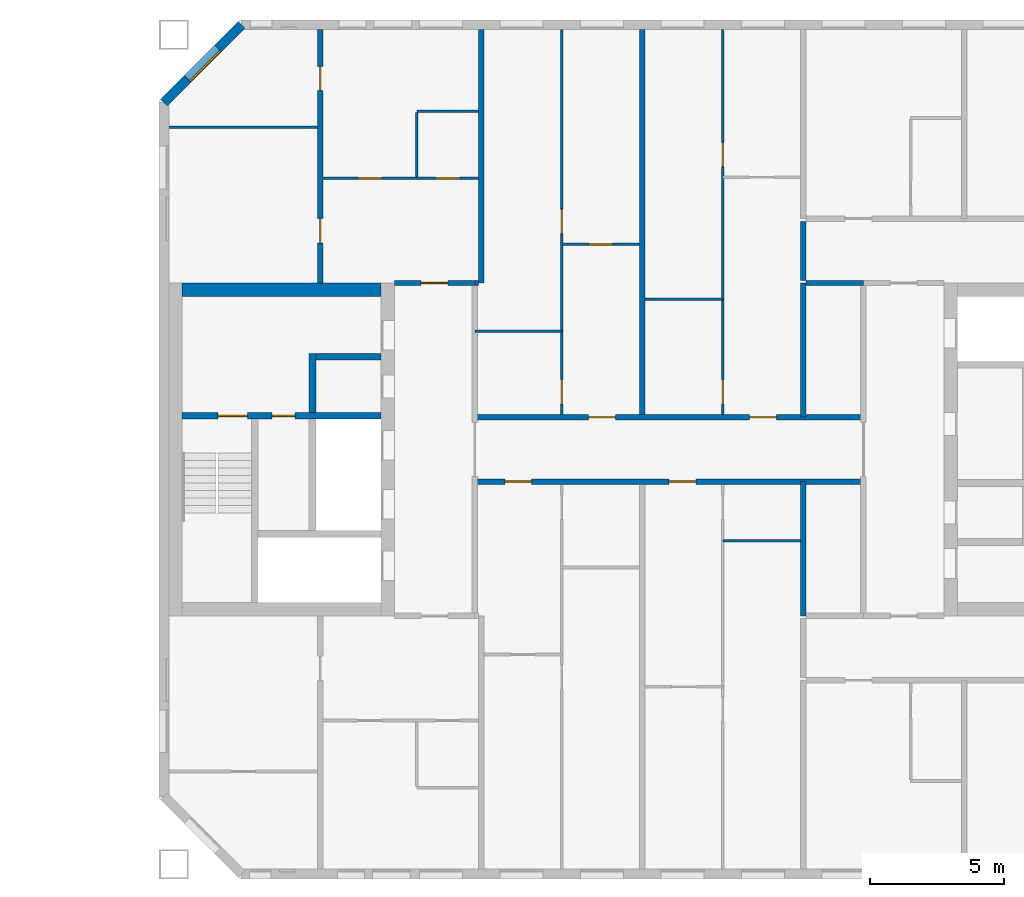
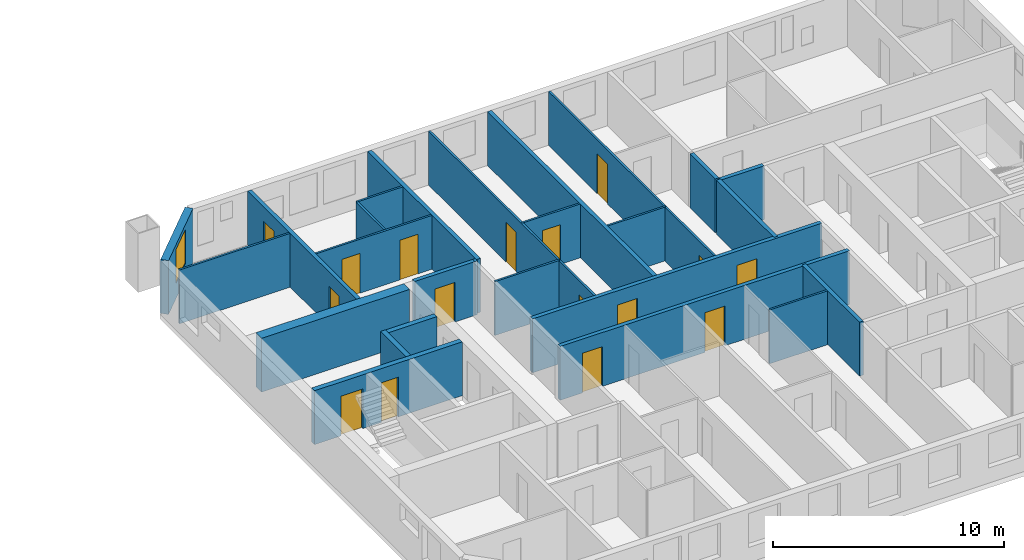
# One storey, part 11 of 16: 26 walls, 16 doors, 1 window, 17 openings.
"""IFC4 building model written with IfcOpenShell, lengths in metres."""

from ifc_helpers import new_model, si_unit, direction, frame, frame_2d, origin, place, context, subcontext, project, spatial, rectangle, extrude, material, layer, layer_set, type_object, element, fill, save


model = new_model("IFC4")

# Units and contexts
model_context = context("Model", 3, precision=1e-05, world=origin(), true_north=direction((0.0, 1.0)))
body_context = subcontext(model_context, "Body", "Model", "MODEL_VIEW")
ifc_project = project(units=[si_unit("LENGTHUNIT", "METRE"), si_unit("AREAUNIT", "SQUARE_METRE"), si_unit("VOLUMEUNIT", "CUBIC_METRE"), si_unit("PLANEANGLEUNIT", "RADIAN"), si_unit("MASSUNIT", "GRAM", prefix="KILO")], contexts=[model_context])

# Site, building, storey
site_placement = place(None, origin())
site = spatial("IfcSite", under=ifc_project, at=site_placement, CompositionType="ELEMENT")
building_placement = place(site_placement, origin())
building = spatial("IfcBuilding", under=site, at=building_placement, Name="Tuart Gate Housing", CompositionType="ELEMENT")
storey_placement = place(building_placement, frame((0.0, 0.0, 151.60009765625)))
storey = spatial("IfcBuildingStorey", under=building, at=storey_placement, Name="L42", CompositionType="ELEMENT", Elevation=151.60009765625)

# Wall, opening, window
ifc_material_1 = material(Name="Brick", Category="masonry")
ifc_layer_1 = layer(ifc_material_1, 0.360107421875)
ifc_layer_set_1 = layer_set([ifc_layer_1], Name="Brick pier and spandrel wall 360")
wall_type_1 = type_object("IfcWallType", Name="Brick pier and spandrel wall 360", PredefinedType="STANDARD", material=ifc_layer_set_1)
wall_1_placement = place(storey_placement, frame((134.07470703125, 85.820068359375, 0.0), z_axis=(0.0, 0.0, 1.0), x_axis=(-0.707106781187, -0.707106781187, 0.0)))
wall_1 = element("IfcWall", 1, at=wall_1_placement, inside=storey, type_object=wall_type_1, Name="External wall B-NW L42", PredefinedType="STANDARD", context=body_context, shape_type="SweptSolid", body=[
    extrude(rectangle(XDim=4.09375, YDim=0.360107421875, at=frame_2d((2.046875, 0.0))), origin(), (0.0, 0.0, 1.0), 2.849853515625),
])
opening_1_placement = place(wall_1_placement, frame((1.2470703125, 0.0, 0.800048828125)))
opening_1 = element("IfcOpeningElement", 2, at=opening_1_placement, cuts=wall_1, Name="Opening W1", PredefinedType="OPENING", context=body_context, shape_type="SweptSolid", body=[
    extrude(rectangle(XDim=1.60009765625, YDim=1.800048828125, at=frame_2d((0.800048828125, 0.89990234375))), frame((0.0, 0.18994140625, 0.0), z_axis=(0.0, -1.0, 0.0), x_axis=(1.0, 0.0, 0.0)), (0.0, 0.0, 1.0), 0.380126953125),
])
ifc_material_2 = material(Name="Aluminium frame with clear glass", Category="aluminium")
window_type = type_object("IfcWindowType", Name="Punched window 1600 x 1800", PartitioningType="SINGLE_PANEL", PredefinedType="WINDOW", material=ifc_material_2)
window_placement = place(opening_1_placement, origin())
window = element("IfcWindow", 3, at=window_placement, inside=storey, type_object=window_type, Name="Window W1", OverallHeight=1.800048828125, OverallWidth=1.60009765625, PartitioningType="SINGLE_PANEL", PredefinedType="WINDOW", context=body_context, shape_type="SweptSolid", body=[
    extrude(rectangle(XDim=1.60009765625, YDim=1.800048828125, at=frame_2d((0.800048828125, 0.89990234375))), frame((0.0, 0.150146484375, 0.0), z_axis=(0.0, -1.0, 0.0), x_axis=(1.0, 0.0, 0.0)), (0.0, 0.0, 1.0), 0.06005859375),
])
fill(opening_1, window)

# Wall, openings, doors
ifc_material_3 = material(Name="Concrete C40", Category="concrete")
ifc_layer_2 = layer(ifc_material_3, 0.25)
ifc_layer_set_2 = layer_set([ifc_layer_2], Name="Core wall 250 C40")
wall_type_2 = type_object("IfcWallType", Name="Core wall 250 C40", PredefinedType="SHEAR", material=ifc_layer_set_2)
wall_2_placement = place(storey_placement, frame((139.260009765625, 71.25, 0.0), z_axis=(0.0, 0.0, 1.0), x_axis=(-1.0, 0.0, 0.0)))
wall_2 = element("IfcWall", 4, at=wall_2_placement, inside=storey, type_object=wall_type_2, Name="Core wall BG.2", PredefinedType="SHEAR", context=body_context, shape_type="SweptSolid", body=[
    extrude(rectangle(XDim=7.39990234375, YDim=0.25, at=frame_2d((3.699951171875, 0.0))), origin(), (0.0, 0.0, 1.0), 2.849853515625),
])
opening_2_placement = place(wall_2_placement, frame((4.97509765625, 0.0, 0.0)))
opening_2 = element("IfcOpeningElement", 5, at=opening_2_placement, cuts=wall_2, Name="Opening D1591", PredefinedType="OPENING", context=body_context, shape_type="SweptSolid", body=[
    extrude(rectangle(XDim=1.10009765625, YDim=2.10009765625, at=frame_2d((0.550048828125, 1.050048828125))), frame((0.0, 0.135009765625, 0.0), z_axis=(0.0, -1.0, 0.0), x_axis=(1.0, 0.0, 0.0)), (0.0, 0.0, 1.0), 0.27001953125),
])
opening_3_placement = place(wall_2_placement, frame((3.199951171875, 0.0, 0.0)))
opening_3 = element("IfcOpeningElement", 6, at=opening_3_placement, cuts=wall_2, Name="Opening D1590", PredefinedType="OPENING", context=body_context, shape_type="SweptSolid", body=[
    extrude(rectangle(XDim=0.85009765625, YDim=2.10009765625, at=frame_2d((0.425048828125, 1.050048828125))), frame((0.0, 0.135009765625, 0.0), z_axis=(0.0, -1.0, 0.0), x_axis=(1.0, 0.0, 0.0)), (0.0, 0.0, 1.0), 0.27001953125),
])
ifc_material_4 = material(Name="Steel fire door", Category="steel")
door_type_1 = type_object("IfcDoorType", Name="Riser door 850 x 2100", OperationType="SINGLE_SWING_LEFT", PredefinedType="DOOR", material=ifc_material_4)
door_1_placement = place(opening_3_placement, origin())
door_1 = element("IfcDoor", 7, at=door_1_placement, inside=storey, type_object=door_type_1, Name="Service room door BG.W1", OperationType="SINGLE_SWING_LEFT", OverallHeight=2.10009765625, OverallWidth=0.85009765625, PredefinedType="DOOR", context=body_context, shape_type="SweptSolid", body=[
    extrude(rectangle(XDim=0.85009765625, YDim=2.10009765625, at=frame_2d((0.425048828125, 1.050048828125))), frame((0.0, 0.02490234375, 0.0), z_axis=(0.0, -1.0, 0.0), x_axis=(1.0, 0.0, 0.0)), (0.0, 0.0, 1.0), 0.050048828125),
])
fill(opening_3, door_1)
ifc_material_5 = material(Name="Steel fire door", Category="steel")
door_type_2 = type_object("IfcDoorType", Name="Stair door 1100 x 2100", OperationType="SINGLE_SWING_LEFT", PredefinedType="DOOR", material=ifc_material_5)
door_2_placement = place(opening_2_placement, origin())
door_2 = element("IfcDoor", 8, at=door_2_placement, inside=storey, type_object=door_type_2, Name="Stair door BG.SD", OperationType="SINGLE_SWING_LEFT", OverallHeight=2.10009765625, OverallWidth=1.10009765625, PredefinedType="DOOR", context=body_context, shape_type="SweptSolid", body=[
    extrude(rectangle(XDim=1.10009765625, YDim=2.10009765625, at=frame_2d((0.550048828125, 1.050048828125))), frame((0.0, 0.02490234375, 0.0), z_axis=(0.0, -1.0, 0.0), x_axis=(1.0, 0.0, 0.0)), (0.0, 0.0, 1.0), 0.050048828125),
])
fill(opening_2, door_2)

# Walls
wall_3_placement = place(storey_placement, frame((139.260009765625, 73.449951171875, 0.0), z_axis=(0.0, 0.0, 1.0), x_axis=(-1.0, 0.0, 0.0)))
element("IfcWall", 9, at=wall_3_placement, inside=storey, type_object=wall_type_2, Name="Core wall BG.3", PredefinedType="SHEAR", context=body_context, shape_type="SweptSolid", body=[
    extrude(rectangle(XDim=2.425048828125, YDim=0.25, at=frame_2d((1.21240234375, 0.0))), origin(), (0.0, 0.0, 1.0), 2.849853515625),
])
wall_4_placement = place(storey_placement, frame((136.7099609375, 71.375, 0.0), z_axis=(0.0, 0.0, 1.0), x_axis=(0.0, 1.0, 0.0)))
element("IfcWall", 10, at=wall_4_placement, inside=storey, type_object=wall_type_2, Name="Core wall BG.5", PredefinedType="SHEAR", context=body_context, shape_type="SweptSolid", body=[
    extrude(rectangle(XDim=2.199951171875, YDim=0.25, at=frame_2d((1.10009765625, 0.0))), origin(), (0.0, 0.0, 1.0), 2.849853515625),
])
ifc_material_6 = material(Name="Concrete C40", Category="concrete")
ifc_layer_3 = layer(ifc_material_6, 0.5)
ifc_layer_set_3 = layer_set([ifc_layer_3], Name="Core wall 500 C40")
wall_type_3 = type_object("IfcWallType", Name="Core wall 500 C40", PredefinedType="SHEAR", material=ifc_layer_set_3)
wall_5_placement = place(storey_placement, frame((139.260009765625, 75.949951171875, 0.0), z_axis=(0.0, 0.0, 1.0), x_axis=(-1.0, 0.0, 0.0)))
element("IfcWall", 11, at=wall_5_placement, inside=storey, type_object=wall_type_3, Name="Core wall BG north", PredefinedType="SHEAR", context=body_context, shape_type="SweptSolid", body=[
    extrude(rectangle(XDim=7.39990234375, YDim=0.5, at=frame_2d((3.699951171875, 0.0))), origin(), (0.0, 0.0, 1.0), 2.849853515625),
])

# Wall, openings, doors
ifc_material_7 = material(Name="Concrete masonry 15 MPa", Category="masonry")
ifc_layer_4 = layer(ifc_material_7, 0.199951171875)
ifc_layer_set_4 = layer_set([ifc_layer_4], Name="Corridor wall masonry 200")
wall_type_4 = type_object("IfcWallType", Name="Corridor wall masonry 200", PredefinedType="PARTITIONING", material=ifc_layer_set_4)
wall_6_placement = place(storey_placement, frame((142.760009765625, 68.800048828125, 0.0), z_axis=(0.0, 0.0, 1.0), x_axis=(1.0, 0.0, 0.0)))
wall_6 = element("IfcWall", 12, at=wall_6_placement, inside=storey, type_object=wall_type_4, Name="Corridor wall masonry 200", PredefinedType="PARTITIONING", context=body_context, shape_type="SweptSolid", body=[
    extrude(rectangle(XDim=14.47998046875, YDim=0.199951171875, at=frame_2d((7.239990234375, 0.0))), origin(), (0.0, 0.0, 1.0), 2.849853515625),
])
opening_4_placement = place(wall_6_placement, frame((1.1201171875, 0.0, 0.0)))
opening_4 = element("IfcOpeningElement", 13, at=opening_4_placement, cuts=wall_6, Name="Opening D1601", PredefinedType="OPENING", context=body_context, shape_type="SweptSolid", body=[
    extrude(rectangle(XDim=1.0, YDim=2.10009765625, at=frame_2d((0.5, 1.050048828125))), frame((0.0, 0.10986328125, 0.0), z_axis=(0.0, -1.0, 0.0), x_axis=(1.0, 0.0, 0.0)), (0.0, 0.0, 1.0), 0.219970703125),
])
opening_5_placement = place(wall_6_placement, frame((7.239990234375, 0.0, 0.0)))
opening_5 = element("IfcOpeningElement", 14, at=opening_5_placement, cuts=wall_6, Name="Opening D1602", PredefinedType="OPENING", context=body_context, shape_type="SweptSolid", body=[
    extrude(rectangle(XDim=1.0, YDim=2.10009765625, at=frame_2d((0.5, 1.050048828125))), frame((0.0, 0.10986328125, 0.0), z_axis=(0.0, -1.0, 0.0), x_axis=(1.0, 0.0, 0.0)), (0.0, 0.0, 1.0), 0.219970703125),
])
ifc_material_8 = material(Name="Timber door leaf in steel frame", Category="steel")
door_type_3 = type_object("IfcDoorType", Name="Flat entrance door 1000 RH", OperationType="SINGLE_SWING_RIGHT", PredefinedType="DOOR", material=ifc_material_8)
door_3_placement = place(opening_4_placement, frame((1.0, 0.0, 0.0), z_axis=(0.0, 0.0, 1.0), x_axis=(-1.0, 0.0, 0.0)))
door_3 = element("IfcDoor", 15, at=door_3_placement, inside=storey, type_object=door_type_3, Name="Flat entrance door", OperationType="SINGLE_SWING_RIGHT", OverallHeight=2.10009765625, OverallWidth=1.0, PredefinedType="DOOR", context=body_context, shape_type="SweptSolid", body=[
    extrude(rectangle(XDim=1.0, YDim=2.10009765625, at=frame_2d((0.5, 1.050048828125))), frame((0.0, 0.025146484375, 0.0), z_axis=(0.0, -1.0, 0.0), x_axis=(1.0, 0.0, 0.0)), (0.0, 0.0, 1.0), 0.050048828125),
])
fill(opening_4, door_3)
door_4_placement = place(opening_5_placement, frame((1.0, 0.0, 0.0), z_axis=(0.0, 0.0, 1.0), x_axis=(-1.0, 0.0, 0.0)))
door_4 = element("IfcDoor", 16, at=door_4_placement, inside=storey, type_object=door_type_3, Name="Flat entrance door", OperationType="SINGLE_SWING_RIGHT", OverallHeight=2.10009765625, OverallWidth=1.0, PredefinedType="DOOR", context=body_context, shape_type="SweptSolid", body=[
    extrude(rectangle(XDim=1.0, YDim=2.10009765625, at=frame_2d((0.5, 1.050048828125))), frame((0.0, 0.025146484375, 0.0), z_axis=(0.0, -1.0, 0.0), x_axis=(1.0, 0.0, 0.0)), (0.0, 0.0, 1.0), 0.050048828125),
])
fill(opening_5, door_4)

wall_7_placement = place(storey_placement, frame((142.760009765625, 71.199951171875, 0.0), z_axis=(0.0, 0.0, 1.0), x_axis=(1.0, 0.0, 0.0)))
wall_7 = element("IfcWall", 17, at=wall_7_placement, inside=storey, type_object=wall_type_4, Name="Corridor wall masonry 200", PredefinedType="PARTITIONING", context=body_context, shape_type="SweptSolid", body=[
    extrude(rectangle(XDim=14.47998046875, YDim=0.199951171875, at=frame_2d((7.239990234375, 0.0))), origin(), (0.0, 0.0, 1.0), 2.849853515625),
])
opening_6_placement = place(wall_7_placement, frame((4.239990234375, 0.0, 0.0)))
opening_6 = element("IfcOpeningElement", 18, at=opening_6_placement, cuts=wall_7, Name="Opening D1592", PredefinedType="OPENING", context=body_context, shape_type="SweptSolid", body=[
    extrude(rectangle(XDim=1.0, YDim=2.10009765625, at=frame_2d((0.5, 1.050048828125))), frame((0.0, 0.10986328125, 0.0), z_axis=(0.0, -1.0, 0.0), x_axis=(1.0, 0.0, 0.0)), (0.0, 0.0, 1.0), 0.219970703125),
])
opening_7_placement = place(wall_7_placement, frame((10.239990234375, 0.0, 0.0)))
opening_7 = element("IfcOpeningElement", 19, at=opening_7_placement, cuts=wall_7, Name="Opening D1593", PredefinedType="OPENING", context=body_context, shape_type="SweptSolid", body=[
    extrude(rectangle(XDim=1.0, YDim=2.10009765625, at=frame_2d((0.5, 1.050048828125))), frame((0.0, 0.10986328125, 0.0), z_axis=(0.0, -1.0, 0.0), x_axis=(1.0, 0.0, 0.0)), (0.0, 0.0, 1.0), 0.219970703125),
])
ifc_material_9 = material(Name="Timber door leaf in steel frame", Category="steel")
door_type_4 = type_object("IfcDoorType", Name="Flat entrance door 1000", OperationType="SINGLE_SWING_LEFT", PredefinedType="DOOR", material=ifc_material_9)
door_5_placement = place(opening_6_placement, origin())
door_5 = element("IfcDoor", 20, at=door_5_placement, inside=storey, type_object=door_type_4, Name="Flat entrance door", OperationType="SINGLE_SWING_LEFT", OverallHeight=2.10009765625, OverallWidth=1.0, PredefinedType="DOOR", context=body_context, shape_type="SweptSolid", body=[
    extrude(rectangle(XDim=1.0, YDim=2.10009765625, at=frame_2d((0.5, 1.050048828125))), frame((0.0, 0.02490234375, 0.0), z_axis=(0.0, -1.0, 0.0), x_axis=(1.0, 0.0, 0.0)), (0.0, 0.0, 1.0), 0.050048828125),
])
fill(opening_6, door_5)
door_6_placement = place(opening_7_placement, origin())
door_6 = element("IfcDoor", 21, at=door_6_placement, inside=storey, type_object=door_type_4, Name="Flat entrance door", OperationType="SINGLE_SWING_LEFT", OverallHeight=2.10009765625, OverallWidth=1.0, PredefinedType="DOOR", context=body_context, shape_type="SweptSolid", body=[
    extrude(rectangle(XDim=1.0, YDim=2.10009765625, at=frame_2d((0.5, 1.050048828125))), frame((0.0, 0.02490234375, 0.0), z_axis=(0.0, -1.0, 0.0), x_axis=(1.0, 0.0, 0.0)), (0.0, 0.0, 1.0), 0.050048828125),
])
fill(opening_7, door_6)

# Walls
wall_8_placement = place(storey_placement, frame((155.10009765625, 76.199951171875, 0.0), z_axis=(0.0, 0.0, 1.0), x_axis=(1.0, 0.0, 0.0)))
element("IfcWall", 22, at=wall_8_placement, inside=storey, type_object=wall_type_4, Name="Corridor wall masonry 200", PredefinedType="PARTITIONING", context=body_context, shape_type="SweptSolid", body=[
    extrude(rectangle(XDim=2.139892578125, YDim=0.199951171875, at=frame_2d((1.06982421875, 0.0))), origin(), (0.0, 0.0, 1.0), 2.849853515625),
])
wall_9_placement = place(storey_placement, frame((155.0, 76.300048828125, 0.0), z_axis=(0.0, 0.0, 1.0), x_axis=(0.0, 1.0, 0.0)))
element("IfcWall", 23, at=wall_9_placement, inside=storey, type_object=wall_type_4, Name="Corridor wall masonry 200", PredefinedType="PARTITIONING", context=body_context, shape_type="SweptSolid", body=[
    extrude(rectangle(XDim=2.199951171875, YDim=0.199951171875, at=frame_2d((1.10009765625, 0.0))), origin(), (0.0, 0.0, 1.0), 2.849853515625),
])

# Wall, opening, door
ifc_material_10 = material(Name="Concrete masonry 15 MPa", Category="masonry")
ifc_layer_5 = layer(ifc_material_10, 0.199951171875)
ifc_layer_set_5 = layer_set([ifc_layer_5], Name="Enclosure wall masonry 200")
wall_type_5 = type_object("IfcWallType", Name="Enclosure wall masonry 200", PredefinedType="PARTITIONING", material=ifc_layer_set_5)
wall_10_placement = place(storey_placement, frame((139.760009765625, 76.199951171875, 0.0), z_axis=(0.0, 0.0, 1.0), x_axis=(1.0, 0.0, 0.0)))
wall_10 = element("IfcWall", 24, at=wall_10_placement, inside=storey, type_object=wall_type_5, Name="Enclosure wall masonry 200", PredefinedType="PARTITIONING", context=body_context, shape_type="SweptSolid", body=[
    extrude(rectangle(XDim=3.0, YDim=0.199951171875, at=frame_2d((1.5, 0.0))), origin(), (0.0, 0.0, 1.0), 2.849853515625),
])
opening_8_placement = place(wall_10_placement, frame((1.0, 0.0, 0.0)))
opening_8 = element("IfcOpeningElement", 25, at=opening_8_placement, cuts=wall_10, Name="Opening D1588", PredefinedType="OPENING", context=body_context, shape_type="SweptSolid", body=[
    extrude(rectangle(XDim=1.0, YDim=2.10009765625, at=frame_2d((0.5, 1.050048828125))), frame((0.0, 0.10986328125, 0.0), z_axis=(0.0, -1.0, 0.0), x_axis=(1.0, 0.0, 0.0)), (0.0, 0.0, 1.0), 0.219970703125),
])
door_7_placement = place(opening_8_placement, origin())
door_7 = element("IfcDoor", 26, at=door_7_placement, inside=storey, type_object=door_type_3, Name="Flat entrance door", OperationType="SINGLE_SWING_RIGHT", OverallHeight=2.10009765625, OverallWidth=1.0, PredefinedType="DOOR", context=body_context, shape_type="SweptSolid", body=[
    extrude(rectangle(XDim=1.0, YDim=2.10009765625, at=frame_2d((0.5, 1.050048828125))), frame((0.0, 0.02490234375, 0.0), z_axis=(0.0, -1.0, 0.0), x_axis=(1.0, 0.0, 0.0)), (0.0, 0.0, 1.0), 0.050048828125),
])
fill(opening_8, door_7)

# Walls
ifc_material_11 = material(Name="Gypsum board on steel studs", Category="steel")
ifc_layer_6 = layer(ifc_material_11, 0.10009765625)
ifc_layer_set_6 = layer_set([ifc_layer_6], Name="Partition 100")
wall_type_6 = type_object("IfcWallType", Name="Partition 100", PredefinedType="PARTITIONING", material=ifc_layer_set_6)
wall_11_placement = place(storey_placement, frame((152.0, 66.60009765625, 0.0), z_axis=(0.0, 0.0, 1.0), x_axis=(1.0, 0.0, 0.0)))
element("IfcWall", 27, at=wall_11_placement, inside=storey, type_object=wall_type_6, Name="Partition 100", PredefinedType="PARTITIONING", context=body_context, shape_type="SweptSolid", body=[
    extrude(rectangle(XDim=2.89990234375, YDim=0.10009765625, at=frame_2d((1.449951171875, 0.0))), origin(), (0.0, 0.0, 1.0), 2.849853515625),
])
wall_12_placement = place(storey_placement, frame((142.760009765625, 74.39990234375, 0.0), z_axis=(0.0, 0.0, 1.0), x_axis=(1.0, 0.0, 0.0)))
element("IfcWall", 28, at=wall_12_placement, inside=storey, type_object=wall_type_6, Name="Partition 100", PredefinedType="PARTITIONING", context=body_context, shape_type="SweptSolid", body=[
    extrude(rectangle(XDim=3.239990234375, YDim=0.10009765625, at=frame_2d((1.6201171875, 0.0))), origin(), (0.0, 0.0, 1.0), 2.849853515625),
])
wall_13_placement = place(storey_placement, frame((149.10009765625, 75.60009765625, 0.0), z_axis=(0.0, 0.0, 1.0), x_axis=(1.0, 0.0, 0.0)))
element("IfcWall", 29, at=wall_13_placement, inside=storey, type_object=wall_type_6, Name="Partition 100", PredefinedType="PARTITIONING", context=body_context, shape_type="SweptSolid", body=[
    extrude(rectangle(XDim=2.89990234375, YDim=0.10009765625, at=frame_2d((1.449951171875, 0.0))), origin(), (0.0, 0.0, 1.0), 2.849853515625),
])

# Wall, opening, door
wall_14_placement = place(storey_placement, frame((146.0, 77.639892578125, 0.0), z_axis=(0.0, 0.0, 1.0), x_axis=(1.0, 0.0, 0.0)))
wall_14 = element("IfcWall", 30, at=wall_14_placement, inside=storey, type_object=wall_type_6, Name="Partition 100", PredefinedType="PARTITIONING", context=body_context, shape_type="SweptSolid", body=[
    extrude(rectangle(XDim=2.89990234375, YDim=0.10009765625, at=frame_2d((1.449951171875, 0.0))), origin(), (0.0, 0.0, 1.0), 2.849853515625),
])
opening_9_placement = place(wall_14_placement, frame((1.0, 0.0, 0.0)))
opening_9 = element("IfcOpeningElement", 31, at=opening_9_placement, cuts=wall_14, Name="Opening D1587", PredefinedType="OPENING", context=body_context, shape_type="SweptSolid", body=[
    extrude(rectangle(XDim=0.89990234375, YDim=2.10009765625, at=frame_2d((0.449951171875, 1.050048828125))), frame((0.0, 0.06005859375, 0.0), z_axis=(0.0, -1.0, 0.0), x_axis=(1.0, 0.0, 0.0)), (0.0, 0.0, 1.0), 0.1201171875),
])
ifc_material_12 = material(Name="Timber door leaf in steel frame", Category="steel")
door_type_5 = type_object("IfcDoorType", Name="Internal door 900 RH", OperationType="SINGLE_SWING_RIGHT", PredefinedType="DOOR", material=ifc_material_12)
door_8_placement = place(opening_9_placement, frame((0.89990234375, 0.0, 0.0), z_axis=(0.0, 0.0, 1.0), x_axis=(-1.0, 0.0, 0.0)))
door_8 = element("IfcDoor", 32, at=door_8_placement, inside=storey, type_object=door_type_5, Name="Internal door", OperationType="SINGLE_SWING_RIGHT", OverallHeight=2.10009765625, OverallWidth=0.89990234375, PredefinedType="DOOR", context=body_context, shape_type="SweptSolid", body=[
    extrude(rectangle(XDim=0.89990234375, YDim=2.10009765625, at=frame_2d((0.449951171875, 1.050048828125))), frame((0.0, 0.025146484375, 0.0), z_axis=(0.0, -1.0, 0.0), x_axis=(1.0, 0.0, 0.0)), (0.0, 0.0, 1.0), 0.050048828125),
])
fill(opening_9, door_8)

# Wall, openings, doors
wall_15_placement = place(storey_placement, frame((137.10009765625, 80.10009765625, 0.0), z_axis=(0.0, 0.0, 1.0), x_axis=(1.0, 0.0, 0.0)))
wall_15 = element("IfcWall", 33, at=wall_15_placement, inside=storey, type_object=wall_type_6, Name="Partition 100", PredefinedType="PARTITIONING", context=body_context, shape_type="SweptSolid", body=[
    extrude(rectangle(XDim=5.7998046875, YDim=0.10009765625, at=frame_2d((2.89990234375, 0.0))), origin(), (0.0, 0.0, 1.0), 2.849853515625),
])
opening_10_placement = place(wall_15_placement, frame((1.300048828125, 0.0, 0.0)))
opening_10 = element("IfcOpeningElement", 34, at=opening_10_placement, cuts=wall_15, Name="Opening D1580", PredefinedType="OPENING", context=body_context, shape_type="SweptSolid", body=[
    extrude(rectangle(XDim=0.89990234375, YDim=2.10009765625, at=frame_2d((0.449951171875, 1.050048828125))), frame((0.0, 0.06005859375, 0.0), z_axis=(0.0, -1.0, 0.0), x_axis=(1.0, 0.0, 0.0)), (0.0, 0.0, 1.0), 0.1201171875),
])
opening_11_placement = place(wall_15_placement, frame((4.199951171875, 0.0, 0.0)))
opening_11 = element("IfcOpeningElement", 35, at=opening_11_placement, cuts=wall_15, Name="Opening D1579", PredefinedType="OPENING", context=body_context, shape_type="SweptSolid", body=[
    extrude(rectangle(XDim=0.89990234375, YDim=2.10009765625, at=frame_2d((0.449951171875, 1.050048828125))), frame((0.0, 0.06005859375, 0.0), z_axis=(0.0, -1.0, 0.0), x_axis=(1.0, 0.0, 0.0)), (0.0, 0.0, 1.0), 0.1201171875),
])
ifc_material_13 = material(Name="Timber door leaf in steel frame", Category="steel")
door_type_6 = type_object("IfcDoorType", Name="Bathroom door 900", OperationType="SINGLE_SWING_LEFT", PredefinedType="DOOR", material=ifc_material_13)
door_9_placement = place(opening_11_placement, origin())
door_9 = element("IfcDoor", 36, at=door_9_placement, inside=storey, type_object=door_type_6, Name="Bathroom door", OperationType="SINGLE_SWING_LEFT", OverallHeight=2.10009765625, OverallWidth=0.89990234375, PredefinedType="DOOR", context=body_context, shape_type="SweptSolid", body=[
    extrude(rectangle(XDim=0.89990234375, YDim=2.10009765625, at=frame_2d((0.449951171875, 1.050048828125))), frame((0.0, 0.02490234375, 0.0), z_axis=(0.0, -1.0, 0.0), x_axis=(1.0, 0.0, 0.0)), (0.0, 0.0, 1.0), 0.050048828125),
])
fill(opening_11, door_9)
door_10_placement = place(opening_10_placement, frame((0.89990234375, 0.0, 0.0), z_axis=(0.0, 0.0, 1.0), x_axis=(-1.0, 0.0, 0.0)))
door_10 = element("IfcDoor", 37, at=door_10_placement, inside=storey, type_object=door_type_5, Name="Internal door", OperationType="SINGLE_SWING_RIGHT", OverallHeight=2.10009765625, OverallWidth=0.89990234375, PredefinedType="DOOR", context=body_context, shape_type="SweptSolid", body=[
    extrude(rectangle(XDim=0.89990234375, YDim=2.10009765625, at=frame_2d((0.449951171875, 1.050048828125))), frame((0.0, 0.025146484375, 0.0), z_axis=(0.0, -1.0, 0.0), x_axis=(1.0, 0.0, 0.0)), (0.0, 0.0, 1.0), 0.050048828125),
])
fill(opening_10, door_10)

# Walls
wall_16_placement = place(storey_placement, frame((131.360107421875, 82.0, 0.0), z_axis=(0.0, 0.0, 1.0), x_axis=(1.0, 0.0, 0.0)))
element("IfcWall", 38, at=wall_16_placement, inside=storey, type_object=wall_type_6, Name="Partition 100", PredefinedType="PARTITIONING", context=body_context, shape_type="SweptSolid", body=[
    extrude(rectangle(XDim=5.539794921875, YDim=0.10009765625, at=frame_2d((2.77001953125, 0.0))), origin(), (0.0, 0.0, 1.0), 2.849853515625),
])
wall_17_placement = place(storey_placement, frame((140.60009765625, 82.60009765625, 0.0), z_axis=(0.0, 0.0, 1.0), x_axis=(1.0, 0.0, 0.0)))
element("IfcWall", 39, at=wall_17_placement, inside=storey, type_object=wall_type_6, Name="Partition 100", PredefinedType="PARTITIONING", context=body_context, shape_type="SweptSolid", body=[
    extrude(rectangle(XDim=2.2998046875, YDim=0.10009765625, at=frame_2d((1.14990234375, 0.0))), origin(), (0.0, 0.0, 1.0), 2.849853515625),
])
wall_18_placement = place(storey_placement, frame((140.60009765625, 80.14990234375, 0.0), z_axis=(0.0, 0.0, 1.0), x_axis=(0.0, 1.0, 0.0)))
element("IfcWall", 40, at=wall_18_placement, inside=storey, type_object=wall_type_6, Name="Partition 100", PredefinedType="PARTITIONING", context=body_context, shape_type="SweptSolid", body=[
    extrude(rectangle(XDim=2.400146484375, YDim=0.10009765625, at=frame_2d((1.2001953125, 0.0))), origin(), (0.0, 0.0, 1.0), 2.849853515625),
])

# Wall, openings, doors
wall_19_placement = place(storey_placement, frame((146.0, 71.300048828125, 0.0), z_axis=(0.0, 0.0, 1.0), x_axis=(0.0, 1.0, 0.0)))
wall_19 = element("IfcWall", 41, at=wall_19_placement, inside=storey, type_object=wall_type_6, Name="Partition 100", PredefinedType="PARTITIONING", context=body_context, shape_type="SweptSolid", body=[
    extrude(rectangle(XDim=14.33984375, YDim=0.10009765625, at=frame_2d((7.169921875, 0.0))), origin(), (0.0, 0.0, 1.0), 2.849853515625),
])
opening_12_placement = place(wall_19_placement, frame((6.739990234375, 0.0, 0.0)))
opening_12 = element("IfcOpeningElement", 42, at=opening_12_placement, cuts=wall_19, Name="Opening D1584", PredefinedType="OPENING", context=body_context, shape_type="SweptSolid", body=[
    extrude(rectangle(XDim=0.89990234375, YDim=2.10009765625, at=frame_2d((0.449951171875, 1.050048828125))), frame((0.0, 0.06005859375, 0.0), z_axis=(0.0, -1.0, 0.0), x_axis=(1.0, 0.0, 0.0)), (0.0, 0.0, 1.0), 0.1201171875),
])
opening_13_placement = place(wall_19_placement, frame((0.39990234375, 0.0, 0.0)))
opening_13 = element("IfcOpeningElement", 43, at=opening_13_placement, cuts=wall_19, Name="Opening D1583", PredefinedType="OPENING", context=body_context, shape_type="SweptSolid", body=[
    extrude(rectangle(XDim=0.89990234375, YDim=2.10009765625, at=frame_2d((0.449951171875, 1.050048828125))), frame((0.0, 0.06005859375, 0.0), z_axis=(0.0, -1.0, 0.0), x_axis=(1.0, 0.0, 0.0)), (0.0, 0.0, 1.0), 0.1201171875),
])
door_11_placement = place(opening_13_placement, origin())
door_11 = element("IfcDoor", 44, at=door_11_placement, inside=storey, type_object=door_type_6, Name="Bathroom door", OperationType="SINGLE_SWING_LEFT", OverallHeight=2.10009765625, OverallWidth=0.89990234375, PredefinedType="DOOR", context=body_context, shape_type="SweptSolid", body=[
    extrude(rectangle(XDim=0.89990234375, YDim=2.10009765625, at=frame_2d((0.449951171875, 1.050048828125))), frame((0.0, 0.02490234375, 0.0), z_axis=(0.0, -1.0, 0.0), x_axis=(1.0, 0.0, 0.0)), (0.0, 0.0, 1.0), 0.050048828125),
])
fill(opening_13, door_11)
ifc_material_14 = material(Name="Timber door leaf in steel frame", Category="steel")
door_type_7 = type_object("IfcDoorType", Name="Internal door 900", OperationType="SINGLE_SWING_LEFT", PredefinedType="DOOR", material=ifc_material_14)
door_12_placement = place(opening_12_placement, origin())
door_12 = element("IfcDoor", 45, at=door_12_placement, inside=storey, type_object=door_type_7, Name="Internal door", OperationType="SINGLE_SWING_LEFT", OverallHeight=2.10009765625, OverallWidth=0.89990234375, PredefinedType="DOOR", context=body_context, shape_type="SweptSolid", body=[
    extrude(rectangle(XDim=0.89990234375, YDim=2.10009765625, at=frame_2d((0.449951171875, 1.050048828125))), frame((0.0, 0.02490234375, 0.0), z_axis=(0.0, -1.0, 0.0), x_axis=(1.0, 0.0, 0.0)), (0.0, 0.0, 1.0), 0.050048828125),
])
fill(opening_12, door_12)

wall_20_placement = place(storey_placement, frame((152.0, 71.300048828125, 0.0), z_axis=(0.0, 0.0, 1.0), x_axis=(0.0, 1.0, 0.0)))
wall_20 = element("IfcWall", 46, at=wall_20_placement, inside=storey, type_object=wall_type_6, Name="Partition 100", PredefinedType="PARTITIONING", context=body_context, shape_type="SweptSolid", body=[
    extrude(rectangle(XDim=14.33984375, YDim=0.10009765625, at=frame_2d((7.169921875, 0.0))), origin(), (0.0, 0.0, 1.0), 2.849853515625),
])
opening_14_placement = place(wall_20_placement, frame((9.239990234375, 0.0, 0.0)))
opening_14 = element("IfcOpeningElement", 47, at=opening_14_placement, cuts=wall_20, Name="Opening D1586", PredefinedType="OPENING", context=body_context, shape_type="SweptSolid", body=[
    extrude(rectangle(XDim=0.89990234375, YDim=2.10009765625, at=frame_2d((0.449951171875, 1.050048828125))), frame((0.0, 0.06005859375, 0.0), z_axis=(0.0, -1.0, 0.0), x_axis=(1.0, 0.0, 0.0)), (0.0, 0.0, 1.0), 0.1201171875),
])
opening_15_placement = place(wall_20_placement, frame((0.39990234375, 0.0, 0.0)))
opening_15 = element("IfcOpeningElement", 48, at=opening_15_placement, cuts=wall_20, Name="Opening D1585", PredefinedType="OPENING", context=body_context, shape_type="SweptSolid", body=[
    extrude(rectangle(XDim=0.89990234375, YDim=2.10009765625, at=frame_2d((0.449951171875, 1.050048828125))), frame((0.0, 0.06005859375, 0.0), z_axis=(0.0, -1.0, 0.0), x_axis=(1.0, 0.0, 0.0)), (0.0, 0.0, 1.0), 0.1201171875),
])
door_13_placement = place(opening_15_placement, origin())
door_13 = element("IfcDoor", 49, at=door_13_placement, inside=storey, type_object=door_type_6, Name="Bathroom door", OperationType="SINGLE_SWING_LEFT", OverallHeight=2.10009765625, OverallWidth=0.89990234375, PredefinedType="DOOR", context=body_context, shape_type="SweptSolid", body=[
    extrude(rectangle(XDim=0.89990234375, YDim=2.10009765625, at=frame_2d((0.449951171875, 1.050048828125))), frame((0.0, 0.02490234375, 0.0), z_axis=(0.0, -1.0, 0.0), x_axis=(1.0, 0.0, 0.0)), (0.0, 0.0, 1.0), 0.050048828125),
])
fill(opening_15, door_13)
door_14_placement = place(opening_14_placement, origin())
door_14 = element("IfcDoor", 50, at=door_14_placement, inside=storey, type_object=door_type_5, Name="Internal door", OperationType="SINGLE_SWING_RIGHT", OverallHeight=2.10009765625, OverallWidth=0.89990234375, PredefinedType="DOOR", context=body_context, shape_type="SweptSolid", body=[
    extrude(rectangle(XDim=0.89990234375, YDim=2.10009765625, at=frame_2d((0.449951171875, 1.050048828125))), frame((0.0, 0.02490234375, 0.0), z_axis=(0.0, -1.0, 0.0), x_axis=(1.0, 0.0, 0.0)), (0.0, 0.0, 1.0), 0.050048828125),
])
fill(opening_14, door_14)

ifc_material_15 = material(Name="Concrete C40", Category="concrete")
ifc_layer_7 = layer(ifc_material_15, 0.199951171875)
ifc_layer_set_7 = layer_set([ifc_layer_7], Name="Party wall concrete C40 200")
wall_type_7 = type_object("IfcWallType", Name="Party wall concrete C40 200", PredefinedType="SOLIDWALL", material=ifc_layer_set_7)
wall_21_placement = place(storey_placement, frame((137.0, 76.199951171875, 0.0), z_axis=(0.0, 0.0, 1.0), x_axis=(0.0, 1.0, 0.0)))
wall_21 = element("IfcWall", 51, at=wall_21_placement, inside=storey, type_object=wall_type_7, Name="Party wall concrete C40 200", PredefinedType="SOLIDWALL", context=body_context, shape_type="SweptSolid", body=[
    extrude(rectangle(XDim=9.43994140625, YDim=0.199951171875, at=frame_2d((4.719970703125, 0.0))), origin(), (0.0, 0.0, 1.0), 2.849853515625),
])
opening_16_placement = place(wall_21_placement, frame((7.169921875, 0.0, 0.0)))
opening_16 = element("IfcOpeningElement", 52, at=opening_16_placement, cuts=wall_21, Name="Opening D1575", PredefinedType="OPENING", context=body_context, shape_type="SweptSolid", body=[
    extrude(rectangle(XDim=0.89990234375, YDim=2.10009765625, at=frame_2d((0.449951171875, 1.050048828125))), frame((0.0, 0.10986328125, 0.0), z_axis=(0.0, -1.0, 0.0), x_axis=(1.0, 0.0, 0.0)), (0.0, 0.0, 1.0), 0.219970703125),
])
opening_17_placement = place(wall_21_placement, frame((1.5, 0.0, 0.0)))
opening_17 = element("IfcOpeningElement", 53, at=opening_17_placement, cuts=wall_21, Name="Opening D1576", PredefinedType="OPENING", context=body_context, shape_type="SweptSolid", body=[
    extrude(rectangle(XDim=0.89990234375, YDim=2.10009765625, at=frame_2d((0.449951171875, 1.050048828125))), frame((0.0, 0.10986328125, 0.0), z_axis=(0.0, -1.0, 0.0), x_axis=(1.0, 0.0, 0.0)), (0.0, 0.0, 1.0), 0.219970703125),
])
door_15_placement = place(opening_16_placement, origin())
door_15 = element("IfcDoor", 54, at=door_15_placement, inside=storey, type_object=door_type_7, Name="Internal door", OperationType="SINGLE_SWING_LEFT", OverallHeight=2.10009765625, OverallWidth=0.89990234375, PredefinedType="DOOR", context=body_context, shape_type="SweptSolid", body=[
    extrude(rectangle(XDim=0.89990234375, YDim=2.10009765625, at=frame_2d((0.449951171875, 1.050048828125))), frame((0.0, 0.02490234375, 0.0), z_axis=(0.0, -1.0, 0.0), x_axis=(1.0, 0.0, 0.0)), (0.0, 0.0, 1.0), 0.050048828125),
])
fill(opening_16, door_15)
door_16_placement = place(opening_17_placement, origin())
door_16 = element("IfcDoor", 55, at=door_16_placement, inside=storey, type_object=door_type_7, Name="Internal door", OperationType="SINGLE_SWING_LEFT", OverallHeight=2.10009765625, OverallWidth=0.89990234375, PredefinedType="DOOR", context=body_context, shape_type="SweptSolid", body=[
    extrude(rectangle(XDim=0.89990234375, YDim=2.10009765625, at=frame_2d((0.449951171875, 1.050048828125))), frame((0.0, 0.02490234375, 0.0), z_axis=(0.0, -1.0, 0.0), x_axis=(1.0, 0.0, 0.0)), (0.0, 0.0, 1.0), 0.050048828125),
])
fill(opening_17, door_16)

# Walls
wall_22_placement = place(storey_placement, frame((143.0, 76.199951171875, 0.0), z_axis=(0.0, 0.0, 1.0), x_axis=(0.0, 1.0, 0.0)))
element("IfcWall", 56, at=wall_22_placement, inside=storey, type_object=wall_type_7, Name="Party wall concrete C40 200", PredefinedType="SOLIDWALL", context=body_context, shape_type="SweptSolid", body=[
    extrude(rectangle(XDim=9.43994140625, YDim=0.199951171875, at=frame_2d((4.719970703125, 0.0))), origin(), (0.0, 0.0, 1.0), 2.849853515625),
])
wall_23_placement = place(storey_placement, frame((149.0, 71.199951171875, 0.0), z_axis=(0.0, 0.0, 1.0), x_axis=(0.0, 1.0, 0.0)))
element("IfcWall", 57, at=wall_23_placement, inside=storey, type_object=wall_type_7, Name="Party wall concrete C40 200", PredefinedType="SOLIDWALL", context=body_context, shape_type="SweptSolid", body=[
    extrude(rectangle(XDim=14.43994140625, YDim=0.199951171875, at=frame_2d((7.219970703125, 0.0))), origin(), (0.0, 0.0, 1.0), 2.849853515625),
])
for number, where, z_axis, x_axis, name in (
    (58, (155.0, 63.800048828125, 0.0), (0.0, 0.0, 1.0), (0.0, 1.0, 0.0), "Party wall concrete C40 200"),
    (59, (155.0, 71.199951171875, 0.0), (0.0, 0.0, 1.0), (0.0, 1.0, 0.0), "Party wall concrete C40 200"),
):
    element("IfcWall", number, at=place(storey_placement, frame(where, z_axis=z_axis, x_axis=x_axis)), inside=storey, type_object=wall_type_7, Name=name, PredefinedType="SOLIDWALL", context=body_context, shape_type="SweptSolid", body=[
        extrude(rectangle(XDim=5.0, YDim=0.199951171875, at=frame_2d((2.5, 0.0))), origin(), (0.0, 0.0, 1.0), 2.849853515625),
    ])
ifc_material_16 = material(Name="Concrete masonry 15 MPa", Category="masonry")
ifc_layer_8 = layer(ifc_material_16, 0.199951171875)
ifc_layer_set_8 = layer_set([ifc_layer_8], Name="Party wall masonry 200")
wall_type_8 = type_object("IfcWallType", Name="Party wall masonry 200", PredefinedType="PARTITIONING", material=ifc_layer_set_8)
wall_24_placement = place(storey_placement, frame((142.760009765625, 76.199951171875, 0.0), z_axis=(0.0, 0.0, 1.0), x_axis=(1.0, 0.0, 0.0)))
element("IfcWall", 60, at=wall_24_placement, inside=storey, type_object=wall_type_8, Name="Party wall masonry 200", PredefinedType="PARTITIONING", context=body_context, shape_type="SweptSolid", body=[
    extrude(rectangle(XDim=0.139892578125, YDim=0.199951171875, at=frame_2d((0.06982421875, 0.0))), origin(), (0.0, 0.0, 1.0), 2.849853515625),
])

save(model, "model.ifc")
